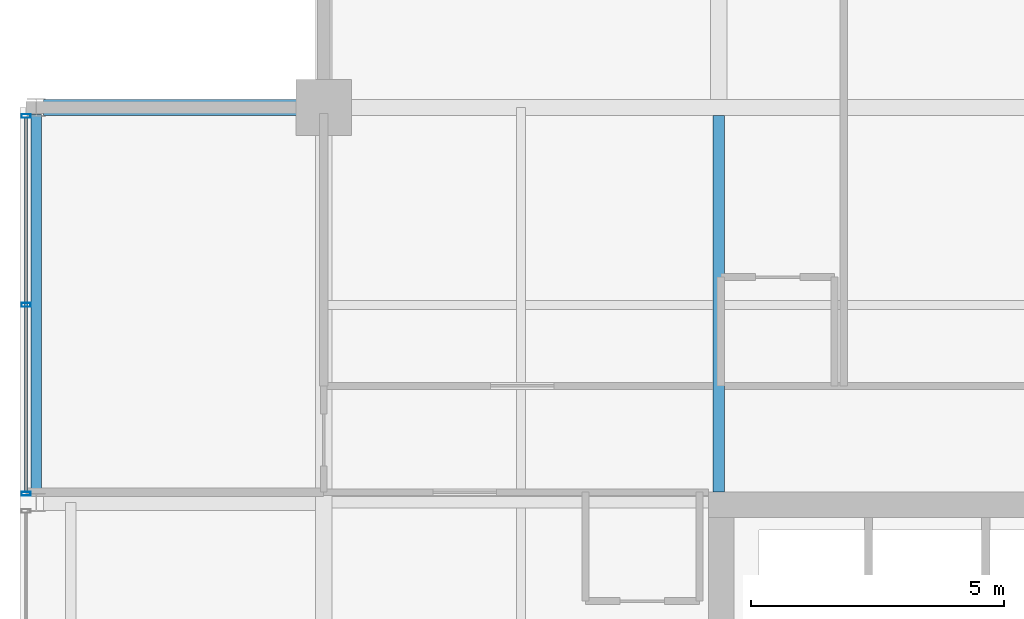
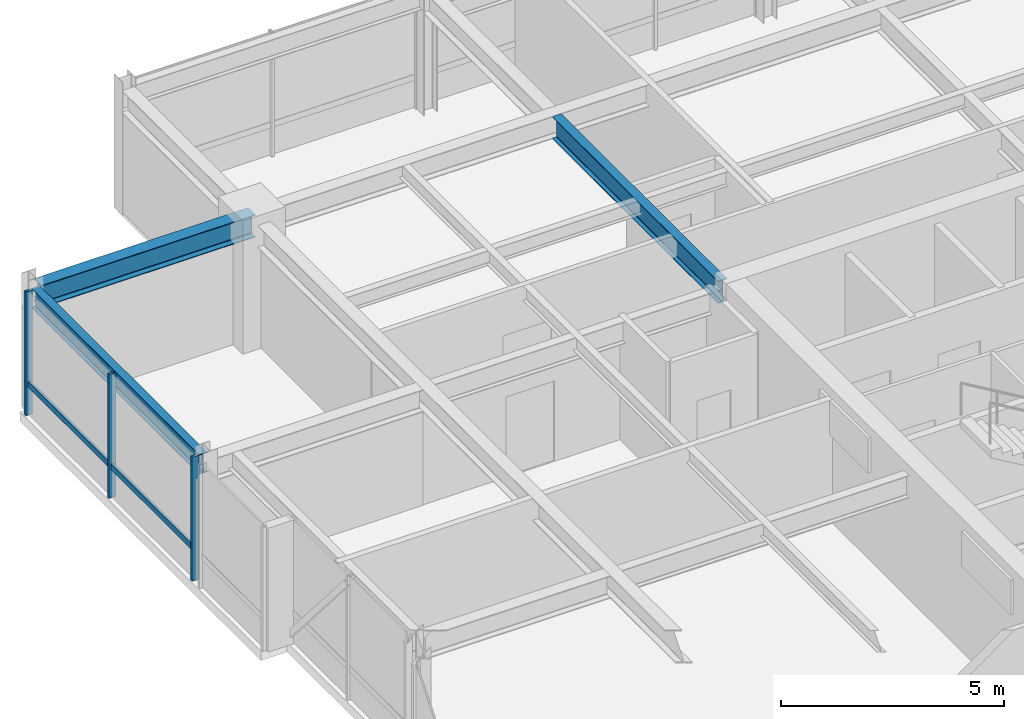
# One storey, part 20 of 34: 4 members, 3 beams, 1 element without a shape of its own.
"""IFC4 building model written with IfcOpenShell, lengths in metres."""

from ifc_helpers import new_model, si_unit, direction, frame, origin, origin_2d, place, context, subcontext, project, spatial, hollow_rectangle, i_section, extrude, material, layer, layer_set, material_profile, profile_set, type_object, element, aggregate, save


model = new_model("IFC4")

# Units and contexts
model_context = context("Model", 3, precision=1e-05, world=origin(), true_north=direction((0.0, 1.0)))
body_context = subcontext(model_context, "Body", "Model", "MODEL_VIEW")
ifc_project = project(units=[si_unit("LENGTHUNIT", "METRE"), si_unit("AREAUNIT", "SQUARE_METRE"), si_unit("VOLUMEUNIT", "CUBIC_METRE"), si_unit("PLANEANGLEUNIT", "RADIAN"), si_unit("MASSUNIT", "GRAM", prefix="KILO")], contexts=[model_context])

# Site, building, storey
site_placement = place(None, origin())
site = spatial("IfcSite", under=ifc_project, at=site_placement, CompositionType="ELEMENT")
building_placement = place(site_placement, origin())
building = spatial("IfcBuilding", under=site, at=building_placement, Name="Drelvath Grand Hotel", CompositionType="ELEMENT")
storey_placement = place(building_placement, frame((0.0, 0.0, 286.89990234375)))
storey = spatial("IfcBuildingStorey", under=building, at=storey_placement, Name="L75", CompositionType="ELEMENT", Elevation=286.89990234375)

# Curtain wall, members
ifc_material_1 = material(Name="Platinum-Mist Anodised Aluminium Frame", Category="aluminium")
ifc_layer = layer(ifc_material_1, 0.199951171875)
ifc_layer_set = layer_set([ifc_layer], Name="Platinum-Mist Anodised Aluminium Frame")
curtain_wall_type = type_object("IfcCurtainWallType", Name="Stick Curtain Wall CW-05 Platinum Mist High-Rise", PredefinedType="NOTDEFINED", material=ifc_layer_set)
curtain_wall_placement = place(storey_placement, origin())
curtain_wall = element("IfcCurtainWall", 1, at=curtain_wall_placement, inside=storey, type_object=curtain_wall_type, Name="L75 CW-05 Curtain Wall CW05-L75-WN2", PredefinedType="NOTDEFINED")
ifc_material_profile_1 = material_profile(ifc_material_1, hollow_rectangle(XDim=0.06494140625, YDim=0.159912109375, WallThickness=0.00390625, at=origin_2d()), Name="HSS160X65X4")
ifc_profile_set_1 = profile_set([ifc_material_profile_1], Name="Platinum-Mist Anodised Aluminium Frame")
member_type_1 = type_object("IfcMemberType", Name="Curtain Wall Horizontal Transom CW-05 HSS160X65X4", PredefinedType="USERDEFINED", material=ifc_profile_set_1)
member_1_placement = place(storey_placement, frame((-22.080078125, 35.610107421875, 0.84765625), z_axis=(0.0, 1.0, 0.0), x_axis=(-1.0, 0.0, 0.0)))
member_1 = element("IfcMember", 2, at=member_1_placement, type_object=member_type_1, Name="CW05-L75-WN2 Sill Transom", ObjectType="TRANSOM", PredefinedType="USERDEFINED", context=body_context, shape_type="SweptSolid", body=[
    extrude(hollow_rectangle(XDim=0.06494140625, YDim=0.159912109375, WallThickness=0.00390625, at=origin_2d()), origin(), (0.0, 0.0, 1.0), 7.3798828125),
])
ifc_material_profile_2 = material_profile(ifc_material_1, hollow_rectangle(XDim=0.074951171875, YDim=0.179931640625, WallThickness=0.0048828125, at=origin_2d()), Name="HSS180X75X5")
ifc_profile_set_2 = profile_set([ifc_material_profile_2], Name="Platinum-Mist Anodised Aluminium Frame")
member_type_2 = type_object("IfcMemberType", Name="Curtain Wall Vertical Mullion CW-05 HSS180X75X5", PredefinedType="MULLION", material=ifc_profile_set_2)
member_2_placement = place(storey_placement, frame((-22.080078125, 35.570068359375, 0.0), z_axis=(0.0, 0.0, 1.0), x_axis=(0.0, 1.0, 0.0)))
member_2 = element("IfcMember", 3, at=member_2_placement, type_object=member_type_2, Name="CW05-L75-WN2 Mullion 1", PredefinedType="MULLION", context=body_context, shape_type="SweptSolid", body=[
    extrude(hollow_rectangle(XDim=0.074951171875, YDim=0.179931640625, WallThickness=0.0048828125, at=origin_2d()), origin(), (0.0, 0.0, 1.0), 3.39013671875),
])
member_3_placement = place(storey_placement, frame((-22.080078125, 39.300048828125, 0.0), z_axis=(0.0, 0.0, 1.0), x_axis=(0.0, 1.0, 0.0)))
member_3 = element("IfcMember", 4, at=member_3_placement, type_object=member_type_2, Name="CW05-L75-WN2 Mullion 2", PredefinedType="MULLION", context=body_context, shape_type="SweptSolid", body=[
    extrude(hollow_rectangle(XDim=0.074951171875, YDim=0.179931640625, WallThickness=0.0048828125, at=origin_2d()), origin(), (0.0, 0.0, 1.0), 3.39013671875),
])
member_4_placement = place(storey_placement, frame((-22.080078125, 43.030029296875, 0.0), z_axis=(0.0, 0.0, 1.0), x_axis=(0.0, 1.0, 0.0)))
member_4 = element("IfcMember", 5, at=member_4_placement, type_object=member_type_2, Name="CW05-L75-WN2 Mullion 3", PredefinedType="MULLION", context=body_context, shape_type="SweptSolid", body=[
    extrude(hollow_rectangle(XDim=0.074951171875, YDim=0.179931640625, WallThickness=0.0048828125, at=origin_2d()), origin(), (0.0, 0.0, 1.0), 3.39013671875),
])
aggregate(curtain_wall, [member_2, member_3, member_4, member_1])

# Beams
ifc_material_2 = material(Name="Steel ASTM A992 Gr 50", Category="steel")
ifc_material_profile_3 = material_profile(ifc_material_2, i_section(OverallWidth=0.210205078125, OverallDepth=0.53662109375, WebThickness=0.010986328125, FlangeThickness=0.017333984375, FilletRadius=0.01806640625, at=origin_2d()), Name="W21X68")
ifc_profile_set_3 = profile_set([ifc_material_profile_3], Name="Steel ASTM A992 Gr 50")
beam_type_1 = type_object("IfcBeamType", Name="Perimeter Spandrel Beam W21X68", PredefinedType="SPANDREL", material=ifc_profile_set_3)
beam_1_placement = place(storey_placement, frame((-21.8798828125, 35.5400390625, 3.121826171875), z_axis=(0.0, 1.0, 0.0), x_axis=(-1.0, 0.0, 0.0)))
element("IfcBeam", 6, at=beam_1_placement, inside=storey, type_object=beam_type_1, Name="L75 Spandrel West N", PredefinedType="SPANDREL", context=body_context, shape_type="SweptSolid", body=[
    extrude(i_section(OverallWidth=0.210205078125, OverallDepth=0.53662109375, WebThickness=0.010986328125, FlangeThickness=0.017333984375, FilletRadius=0.01806640625, at=origin_2d()), origin(), (0.0, 0.0, 1.0), 7.52001953125),
])
ifc_material_profile_4 = material_profile(ifc_material_2, i_section(OverallWidth=0.323974609375, OverallDepth=0.611083984375, WebThickness=0.0126953125, FlangeThickness=0.01904296875, FilletRadius=0.02197265625, at=origin_2d()), Name="W24X104")
ifc_profile_set_4 = profile_set([ifc_material_profile_4], Name="Steel ASTM A992 Gr 50")
beam_type_2 = type_object("IfcBeamType", Name="Primary Floor Girder W24X104", PredefinedType="BEAM", material=ifc_profile_set_4)
beam_2_placement = place(storey_placement, frame((-21.739990234375, 43.199951171875, 3.084716796875), z_axis=(1.0, 0.0, 0.0), x_axis=(0.0, 1.0, 0.0)))
element("IfcBeam", 7, at=beam_2_placement, inside=storey, type_object=beam_type_2, Name="L75 West Grid Girder G", PredefinedType="BEAM", context=body_context, shape_type="SweptSolid", body=[
    extrude(i_section(OverallWidth=0.323974609375, OverallDepth=0.611083984375, WebThickness=0.0126953125, FlangeThickness=0.01904296875, FilletRadius=0.02197265625, at=origin_2d()), origin(), (0.0, 0.0, 1.0), 5.5400390625),
])
ifc_material_profile_5 = material_profile(ifc_material_2, i_section(OverallWidth=0.228271484375, OverallDepth=0.607666015625, WebThickness=0.01123046875, FlangeThickness=0.017333984375, FilletRadius=0.02001953125, at=origin_2d()), Name="W24X76")
ifc_profile_set_5 = profile_set([ifc_material_profile_5], Name="Steel ASTM A992 Gr 50")
beam_type_3 = type_object("IfcBeamType", Name="Primary Floor Girder W24X76", PredefinedType="BEAM", material=ifc_profile_set_5)
beam_3_placement = place(storey_placement, frame((-8.39990234375, 35.60009765625, 3.086181640625), z_axis=(0.0, 1.0, 0.0), x_axis=(-1.0, 0.0, 0.0)))
element("IfcBeam", 8, at=beam_3_placement, inside=storey, type_object=beam_type_3, Name="L75 North Core Tie 4", PredefinedType="BEAM", context=body_context, shape_type="SweptSolid", body=[
    extrude(i_section(OverallWidth=0.228271484375, OverallDepth=0.607666015625, WebThickness=0.01123046875, FlangeThickness=0.017333984375, FilletRadius=0.02001953125, at=origin_2d()), origin(), (0.0, 0.0, 1.0), 7.43798828125),
])

save(model, "model.ifc")
